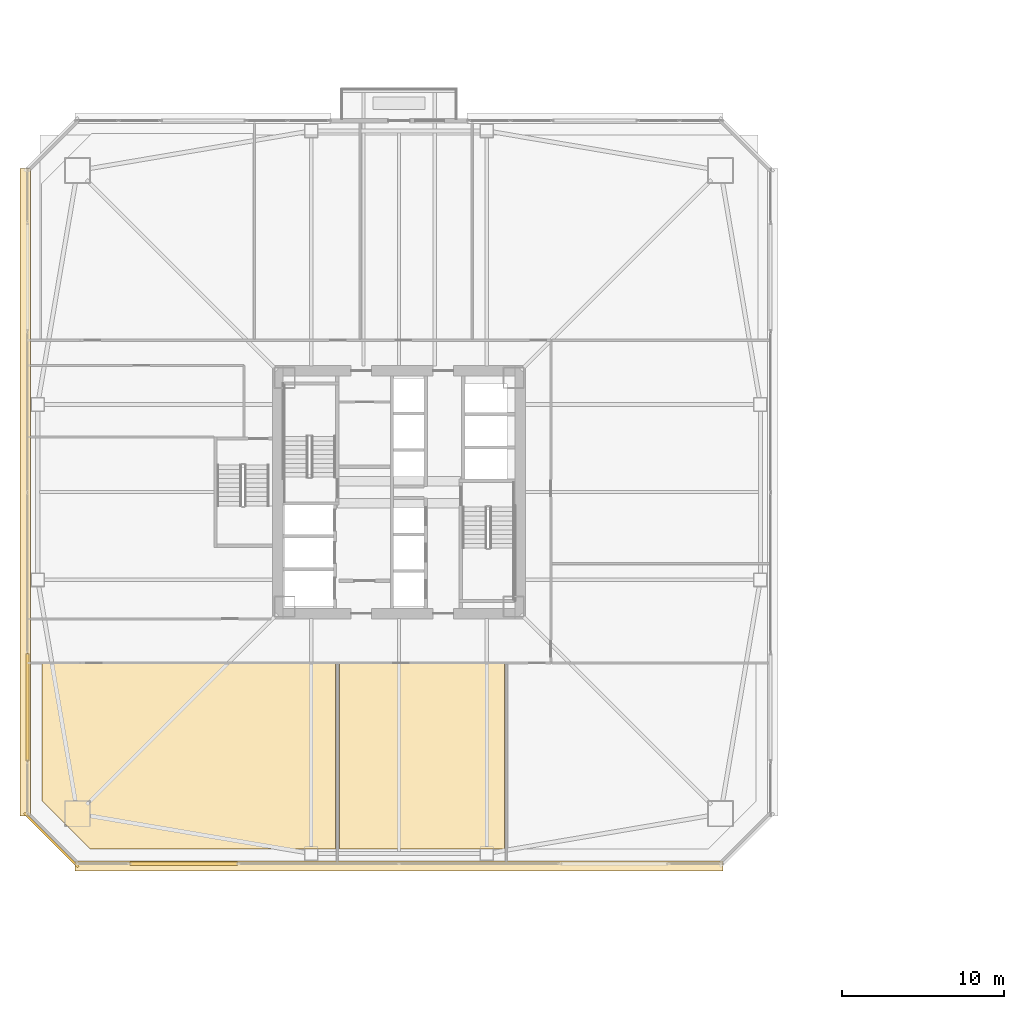
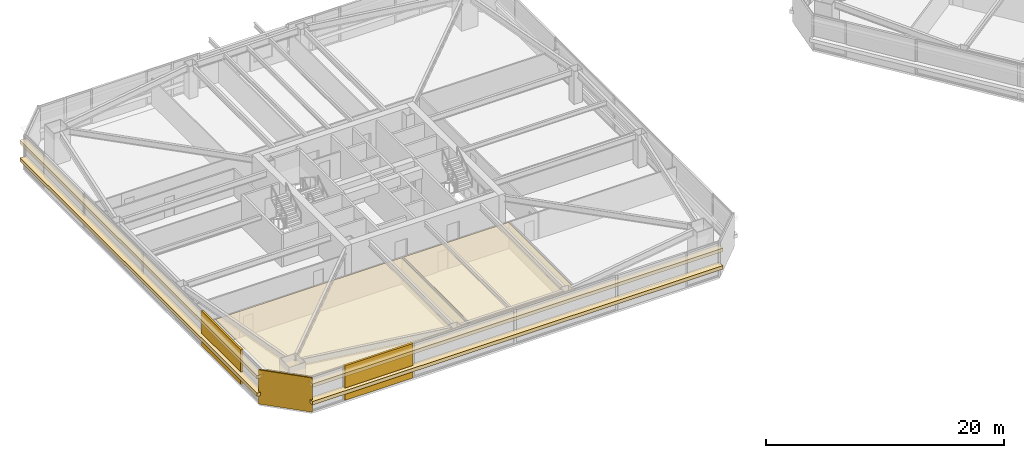
# One storey, part 44 of 51: 9 coverings.
"""IFC4 building model written with IfcOpenShell, lengths in metres."""

from ifc_helpers import new_model, si_unit, direction, frame, origin, origin_2d, place, context, subcontext, project, spatial, polyline, rectangle, outline, extrude, material, layer, layer_set, type_object, element, save


model = new_model("IFC4")

# Units and contexts
model_context = context("Model", 3, precision=1e-05, world=origin(), true_north=direction((0.0, 1.0)))
body_context = subcontext(model_context, "Body", "Model", "MODEL_VIEW")
ifc_project = project(units=[si_unit("LENGTHUNIT", "METRE"), si_unit("AREAUNIT", "SQUARE_METRE"), si_unit("VOLUMEUNIT", "CUBIC_METRE"), si_unit("PLANEANGLEUNIT", "RADIAN"), si_unit("MASSUNIT", "GRAM", prefix="KILO")], contexts=[model_context])

# Site, building, storey
site_placement = place(None, origin())
site = spatial("IfcSite", under=ifc_project, at=site_placement, CompositionType="ELEMENT")
building_placement = place(site_placement, origin())
building = spatial("IfcBuilding", under=site, at=building_placement, Name="Tashvorn Skyway Center", CompositionType="ELEMENT")
storey_placement = place(building_placement, frame((0.0, 0.0, 49.449951171875)))
storey = spatial("IfcBuildingStorey", under=building, at=storey_placement, Name="L12", CompositionType="ELEMENT", Elevation=49.449951171875)

# Coverings
ifc_material_1 = material(Name="Precast concrete C40/50", Category="concrete")
ifc_layer_1 = layer(ifc_material_1, 0.199951171875)
ifc_layer_set_1 = layer_set([ifc_layer_1], Name="Precast concrete C40/50")
covering_type_1 = type_object("IfcCoveringType", Name="COV-BRACE-CLAD", PredefinedType="CLADDING", material=ifc_layer_set_1)
for number, where, z_axis, x_axis, name in (
    (1, (28.74658203125, 9.1201171875, 0.0), (0.0, 0.0, 1.0), (-1.0, 0.0, 0.0), "Tower 1 L12 South Unitised Curtain Wall Mega-Brace Cladding Band 2"),
    (2, (19.1201171875, 18.74658203125, 0.0), (0.0, 0.0, 1.0), (0.0, 1.0, 0.0), "Tower 1 L12 West Unitised Curtain Wall Mega-Brace Cladding Band 1"),
):
    element("IfcCovering", number, at=place(storey_placement, frame(where, z_axis=z_axis, x_axis=x_axis)), inside=storey, type_object=covering_type_1, Name=name, PredefinedType="CLADDING", context=body_context, shape_type="SweptSolid", body=[
        extrude(rectangle(XDim=6.626708984375, YDim=0.199951171875, at=origin_2d()), origin(), (0.0, 0.0, 1.0), 3.550048828125),
    ])
ifc_material_2 = material(Name="Mineral-fibre acoustic ceiling tile on suspended grid")
ifc_layer_2 = layer(ifc_material_2, 0.02001953125)
ifc_layer_set_2 = layer_set([ifc_layer_2], Name="Mineral-fibre acoustic ceiling tile on suspended grid")
covering_type_2 = type_object("IfcCoveringType", Name="COV-CEIL-20", PredefinedType="CEILING", material=ifc_layer_set_2)
covering_1_placement = place(storey_placement, frame((0.0, 0.0, 2.68310546875)))
element("IfcCovering", 3, at=covering_1_placement, inside=storey, type_object=covering_type_2, Name="Tower 1 L12 Conference Room Acoustic Ceiling", PredefinedType="CEILING", context=body_context, shape_type="SweptSolid", body=[
    extrude(outline(polyline([(20.02001953125, 21.43994140625), (38.080078125, 21.43994140625), (38.080078125, 10.02001953125), (22.97998046875, 10.02001953125), (20.02001953125, 12.97998046875), (20.02001953125, 21.43994140625)])), origin(), (0.0, 0.0, 1.0), 0.02001953125),
])
covering_2_placement = place(storey_placement, frame((0.0, 0.0, 2.68310546875)))
element("IfcCovering", 4, at=covering_2_placement, inside=storey, type_object=covering_type_2, Name="Tower 1 L12 Design Studio Acoustic Ceiling", PredefinedType="CEILING", context=body_context, shape_type="SweptSolid", body=[
    extrude(outline(polyline([(38.320068359375, 21.43994140625), (48.47998046875, 21.43994140625), (48.47998046875, 10.02001953125), (38.320068359375, 10.02001953125), (38.320068359375, 21.43994140625)])), origin(), (0.0, 0.0, 1.0), 0.02001953125),
])
ifc_material_3 = material(Name="Perforated ceramic-coated bronze aluminium solar screen", Category="aluminium")
ifc_layer_3 = layer(ifc_material_3, 0.85009765625)
ifc_layer_set_3 = layer_set([ifc_layer_3], Name="Perforated ceramic-coated bronze aluminium solar screen")
covering_type_3 = type_object("IfcCoveringType", Name="COV-SOLAR-BAND", PredefinedType="CLADDING", material=ifc_layer_set_3)
for number, where, z_axis, x_axis, name in (
    (5, (42.0, 8.97998046875, 0.919921875), (0.0, 0.0, 1.0), (-1.0, 0.0, 0.0), "L12 Perforated Ceramic-Metal Solar Screen Louvre Band South 1"),
    (6, (42.0, 8.97998046875, 2.72021484375), (0.0, 0.0, 1.0), (-1.0, 0.0, 0.0), "L12 Perforated Ceramic-Metal Solar Screen Louvre Band South 2"),
    (7, (18.97998046875, 32.0, 0.919921875), (0.0, 0.0, 1.0), (0.0, 1.0, 0.0), "L12 Perforated Ceramic-Metal Solar Screen Louvre Band West 1"),
    (8, (18.97998046875, 32.0, 2.72021484375), (0.0, 0.0, 1.0), (0.0, 1.0, 0.0), "L12 Perforated Ceramic-Metal Solar Screen Louvre Band West 2"),
):
    element("IfcCovering", number, at=place(storey_placement, frame(where, z_axis=z_axis, x_axis=x_axis)), inside=storey, type_object=covering_type_3, Name=name, PredefinedType="CLADDING", context=body_context, shape_type="SweptSolid", body=[
        extrude(rectangle(XDim=39.8798828125, YDim=0.639892578125, at=origin_2d()), origin(), (0.0, 0.0, 1.0), 0.360107421875),
    ])
ifc_layer_4 = layer(ifc_material_1, 0.35009765625)
ifc_layer_set_4 = layer_set([ifc_layer_4], Name="Precast concrete C40/50")
covering_type_4 = type_object("IfcCoveringType", Name="COV-STONE-TRIM", PredefinedType="CLADDING", material=ifc_layer_set_4)
covering_3_placement = place(storey_placement, frame((20.580078125, 10.580078125, 0.02001953125), z_axis=(0.0, 0.0, 1.0), x_axis=(-0.707106781187, 0.707106781187, 0.0)))
element("IfcCovering", 9, at=covering_3_placement, inside=storey, type_object=covering_type_4, Name="Tower 1 L12 SW Mojave Limestone Corner Quoin", PredefinedType="CLADDING", context=body_context, shape_type="SweptSolid", body=[
    extrude(rectangle(XDim=4.685546875, YDim=0.139892578125, at=origin_2d()), origin(), (0.0, 0.0, 1.0), 3.510009765625),
])

save(model, "model.ifc")
